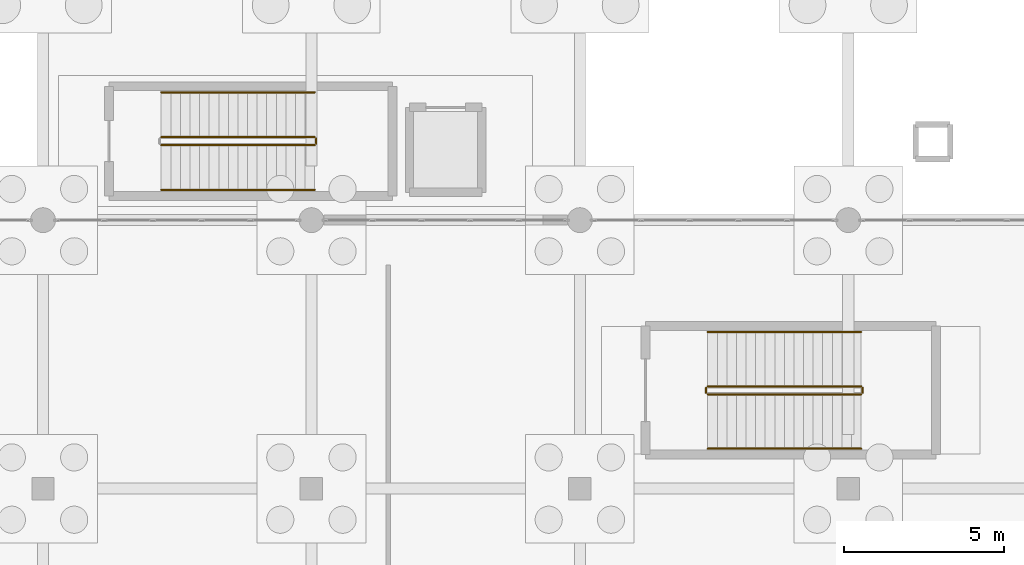
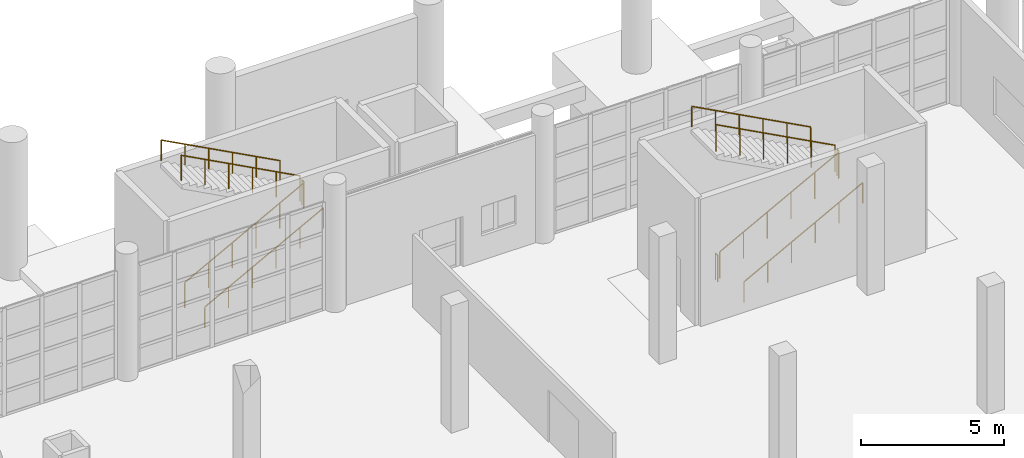
# One storey, part 78 of 83: 11 railings.
"""IFC4 building model written with IfcOpenShell, lengths in metres."""

import ifcopenshell
import ifcopenshell.guid

model = None  # the IFC model being written
_history = None  # IfcOwnerHistory: only IFC2X3 demands one
_inside = {}  # id of a spatial element -> (the spatial element, [elements in it])
_under = {}  # id of a project, library or spatial element -> (it, [spatial elements below it])
_declared = {}  # id of a project -> (the project, [libraries it declares])
_typed = {}  # id of a type object -> (the type object, [elements of that type])
_made_of = {}  # id of a material, layer set ... -> (it, [elements and type objects made of it])


def new_model(schema):
    """Start an empty IFC model of exactly this schema.

    Asked for "IFC4X3", IfcOpenShell would pick the latest addendum, in which some entities
    have other attributes; the version numbers below select the first issue.
    IFC2X3 requires an IfcOwnerHistory on every rooted entity: one is made here for all.
    """
    global model, _history
    if schema == "IFC4X3":
        model = ifcopenshell.file(schema_version=(4, 3, 0, 0))
    else:
        model = ifcopenshell.file(schema=schema)
    _inside.clear()
    _under.clear()
    _declared.clear()
    _typed.clear()
    _made_of.clear()
    _history = None
    if model.schema == "IFC2X3":
        org = make("IfcOrganization", Name="unknown")
        user = make(
            "IfcPersonAndOrganization",
            ThePerson=make("IfcPerson", FamilyName="unknown"),
            TheOrganization=org,
        )
        app = make(
            "IfcApplication",
            ApplicationDeveloper=org,
            Version="unknown",
            ApplicationFullName="unknown",
            ApplicationIdentifier="unknown",
        )
        _history = make(
            "IfcOwnerHistory",
            OwningUser=user,
            OwningApplication=app,
            ChangeAction="ADDED",
            CreationDate=0,
        )
    return model


def make(cls, **values):
    """One entity of the class cls with the attributes given. An attribute that is None is left unset."""
    return model.create_entity(
        cls, **{name: value for name, value in values.items() if value is not None}
    )


def rooted(cls, **values):
    """An entity with a GlobalId (a new one), such as an element, a storey or a relation."""
    return make(cls, GlobalId=ifcopenshell.guid.new(), OwnerHistory=_history, **values)


def si_unit(unit_type, name, prefix=None):
    """IfcSIUnit, for example si_unit("LENGTHUNIT", "METRE", prefix="MILLI")."""
    return make("IfcSIUnit", UnitType=unit_type, Prefix=prefix, Name=name)


def assignment(units):
    """IfcUnitAssignment: the units of a project."""
    return None if units is None else make("IfcUnitAssignment", Units=units)


def point(xyz):
    """IfcCartesianPoint."""
    return None if xyz is None else make("IfcCartesianPoint", Coordinates=xyz)


def direction(xyz):
    """IfcDirection."""
    return None if xyz is None else make("IfcDirection", DirectionRatios=xyz)


def frame(location, z_axis=None, x_axis=None):
    """IfcAxis2Placement3D, a coordinate frame: its origin and axes. An axis left out is left unset."""
    return make(
        "IfcAxis2Placement3D",
        Location=point(location),
        Axis=direction(z_axis),
        RefDirection=direction(x_axis),
    )


def frame_2d(location, x_axis=None):
    """IfcAxis2Placement2D, a coordinate frame in the plane: its origin and x axis."""
    return make(
        "IfcAxis2Placement2D", Location=point(location), RefDirection=direction(x_axis)
    )


def origin():
    """The frame at (0, 0, 0) with its axes left unset."""
    return frame((0.0, 0.0, 0.0))


def origin_2d():
    """The frame at (0, 0) in the plane with its x axis left unset."""
    return frame_2d((0.0, 0.0))


def place(relative_to, where):
    """IfcLocalPlacement: puts the frame where relative to a parent placement (None: the world)."""
    return make(
        "IfcLocalPlacement", PlacementRelTo=relative_to, RelativePlacement=where
    )


def context(
    kind, dimensions, precision=None, world=None, true_north=None, identifier=None
):
    """IfcGeometricRepresentationContext, for example the 3D "Model" context."""
    return make(
        "IfcGeometricRepresentationContext",
        ContextIdentifier=identifier,
        ContextType=kind,
        CoordinateSpaceDimension=dimensions,
        Precision=precision,
        WorldCoordinateSystem=world,
        TrueNorth=true_north,
    )


def subcontext(parent, identifier, kind, view, scale=None):
    """IfcGeometricRepresentationSubContext, for example "Body" below "Model"."""
    return make(
        "IfcGeometricRepresentationSubContext",
        ContextIdentifier=identifier,
        ContextType=kind,
        ParentContext=parent,
        TargetScale=scale,
        TargetView=view,
    )


def project(units=None, contexts=None):
    """IfcProject with its units and contexts."""
    return rooted(
        "IfcProject",
        Name="project",
        RepresentationContexts=contexts,
        UnitsInContext=assignment(units),
    )


def spatial(cls, under=None, at=None, **own):
    """A site, building, storey or space (cls), placed at a placement, below another one or the project."""
    s = rooted(cls, ObjectPlacement=at, **own)
    if under is not None:
        _under.setdefault(under.id(), (under, []))[1].append(s)
    return s


def profile(cls, at=None, kind="AREA", **sizes):
    """A parametric profile (cls). Its sizes go by their IFC names, for example OverallWidth=200.0."""
    return make(cls, ProfileType=kind, Position=at, **sizes)


def circle(**sizes):
    """IfcCircleProfileDef."""
    return profile("IfcCircleProfileDef", **sizes)


def extrude(swept, where, along, depth):
    """IfcExtrudedAreaSolid: the profile swept, set in the frame where, extruded along a direction by depth."""
    return make(
        "IfcExtrudedAreaSolid",
        SweptArea=swept,
        Position=where,
        ExtrudedDirection=direction(along),
        Depth=depth,
    )


def shape(context_of_items, identifier, shape_type, items):
    """IfcShapeRepresentation: the items that make up one representation, for example the "Body"."""
    return make(
        "IfcShapeRepresentation",
        ContextOfItems=context_of_items,
        RepresentationIdentifier=identifier,
        RepresentationType=shape_type,
        Items=items,
    )


def material(Name=None, Category=None):
    """IfcMaterial."""
    return make("IfcMaterial", Name=Name, Category=Category)


def made_of(thing, what):
    """Note that an element or type object is made of a material, layer set ...; save() writes the relation."""
    if what is not None:
        _made_of.setdefault(what.id(), (what, []))[1].append(thing)
    return thing


def type_object(cls, material=None, **own):
    """A type object (cls), such as IfcWallType, which elements share."""
    return made_of(rooted(cls, **own), material)


def element(
    cls,
    number,
    at=None,
    inside=None,
    cuts=None,
    type_object=None,
    material=None,
    context=None,
    identifier="Body",
    shape_type=None,
    held_by="IfcProductDefinitionShape",
    body=None,
    shapes=None,
    **own,
):
    """One element of the class cls, such as IfcWall. Its Tag is "e" and its number.

    at: its placement. inside: the storey or other place that contains it. cuts: it is an
    opening in that element (IfcRelVoidsElement). A single representation is given by context,
    identifier, shape_type and body (its items); several are given by shapes. held_by: the class
    of the entity that holds the representations. save() writes the other relations.
    """
    e = rooted(cls, Tag="e%d" % number, ObjectPlacement=at, **own)
    if body is not None:
        shapes = [shape(context, identifier, shape_type, body)]
    if shapes is not None:
        e.Representation = make(held_by, Representations=shapes)
    if inside is not None:
        _inside.setdefault(inside.id(), (inside, []))[1].append(e)
    if cuts is not None:
        rooted(
            "IfcRelVoidsElement", RelatingBuildingElement=cuts, RelatedOpeningElement=e
        )
    if type_object is not None:
        _typed.setdefault(type_object.id(), (type_object, []))[1].append(e)
    return made_of(e, material)


def aggregate(whole, parts):
    """IfcRelAggregates: a whole, such as a stair, and the parts it consists of."""
    return rooted("IfcRelAggregates", RelatingObject=whole, RelatedObjects=parts)


def save(model, path):
    """Write the relations noted so far, then the file.

    IfcRelAggregates (storeys below a building ...), IfcRelContainedInSpatialStructure (elements
    in a storey), IfcRelDefinesByType, IfcRelAssociatesMaterial and IfcRelDeclares: one each for
    every whole, place, type object, material and project.
    """
    for whole, parts in _under.values():
        aggregate(whole, parts)
    for where, things in _inside.values():
        rooted(
            "IfcRelContainedInSpatialStructure",
            RelatedElements=things,
            RelatingStructure=where,
        )
    for kind, things in _typed.values():
        rooted("IfcRelDefinesByType", RelatedObjects=things, RelatingType=kind)
    for what, things in _made_of.values():
        rooted("IfcRelAssociatesMaterial", RelatedObjects=things, RelatingMaterial=what)
    for by, libraries in _declared.values():
        rooted("IfcRelDeclares", RelatingContext=by, RelatedDefinitions=libraries)
    model.write(path)


model = new_model("IFC4")

# Units and contexts
model_context = context("Model", 3, precision=1e-05, world=origin(), true_north=direction((0.0, 1.0)))
body_context = subcontext(model_context, "Body", "Model", "MODEL_VIEW")
ifc_project = project(units=[si_unit("LENGTHUNIT", "METRE"), si_unit("AREAUNIT", "SQUARE_METRE"), si_unit("VOLUMEUNIT", "CUBIC_METRE"), si_unit("PLANEANGLEUNIT", "RADIAN"), si_unit("MASSUNIT", "GRAM", prefix="KILO"), si_unit("THERMODYNAMICTEMPERATUREUNIT", "KELVIN"), si_unit("POWERUNIT", "WATT")], contexts=[model_context])

# Site, building, storey
site_placement = place(None, origin())
site = spatial("IfcSite", under=ifc_project, at=site_placement, CompositionType="ELEMENT")
building_placement = place(site_placement, origin())
building = spatial("IfcBuilding", under=site, at=building_placement, Name="Mavoryth Pier Ferry Terminal", CompositionType="ELEMENT")
storey_placement = place(building_placement, origin())
storey = spatial("IfcBuildingStorey", under=building, at=storey_placement, Name="L00", CompositionType="ELEMENT", Elevation=0.0)

# Railings
ifc_material_1 = material(Name="Bronze-Anodised Aluminium and Glass Balustrade", Category="aluminium")
railing_type_1 = type_object("IfcRailingType", Name="Guard-Atrium-Bronze1150", PredefinedType="GUARDRAIL", material=ifc_material_1)
railing_1_placement = place(storey_placement, frame((79.60009765625, 100.550048828125, 0.159912109375)))
element("IfcRailing", 1, at=railing_1_placement, inside=storey, type_object=railing_type_1, Name="L00 ST15 stair guard 1", PredefinedType="GUARDRAIL", context=body_context, shape_type="SweptSolid", body=[
    extrude(circle(Radius=0.02392578125, at=origin_2d()), frame((0.0, 0.0, 1.1259765625), z_axis=(0.882340517344, 0.0, 0.47061152924), x_axis=(0.0, 1.0, 0.0)), (0.0, 0.0, 1.0), 5.43994140625),
    extrude(circle(Radius=0.02099609375, at=origin_2d()), origin(), (0.0, 0.0, 1.0), 1.101806640625),
    extrude(circle(Radius=0.02099609375, at=origin_2d()), frame((0.9599609375, 0.0, 0.511962890625)), (0.0, 0.0, 1.0), 1.101806640625),
    extrude(circle(Radius=0.02099609375, at=origin_2d()), frame((1.919921875, 0.0, 1.02392578125)), (0.0, 0.0, 1.0), 1.101806640625),
    extrude(circle(Radius=0.02099609375, at=origin_2d()), frame((2.8798828125, 0.0, 1.5361328125)), (0.0, 0.0, 1.0), 1.101806640625),
    extrude(circle(Radius=0.02099609375, at=origin_2d()), frame((3.83984375, 0.0, 2.048095703125)), (0.0, 0.0, 1.0), 1.101806640625),
    extrude(circle(Radius=0.02099609375, at=origin_2d()), frame((4.7998046875, 0.0, 2.56005859375)), (0.0, 0.0, 1.0), 1.101806640625),
])
railing_2_placement = place(storey_placement, frame((84.449951171875, 100.60009765625, 2.719970703125)))
element("IfcRailing", 2, at=railing_2_placement, inside=storey, type_object=railing_type_1, Name="L00 ST15 stair guard 2", PredefinedType="GUARDRAIL", context=body_context, shape_type="SweptSolid", body=[
    extrude(circle(Radius=0.02392578125, at=origin_2d()), frame((0.0, 0.0, 1.1259765625), z_axis=(0.0, 1.0, 0.0), x_axis=(-1.0, 0.0, 0.0)), (0.0, 0.0, 1.0), 0.14990234375),
    extrude(circle(Radius=0.02099609375, at=origin_2d()), origin(), (0.0, 0.0, 1.0), 1.101806640625),
    extrude(circle(Radius=0.02099609375, at=origin_2d()), frame((0.0, 0.14990234375, 0.0)), (0.0, 0.0, 1.0), 1.101806640625),
])
railing_3_placement = place(storey_placement, frame((84.39990234375, 100.800048828125, 2.8798828125)))
element("IfcRailing", 3, at=railing_3_placement, inside=storey, type_object=railing_type_1, Name="L00 ST15 stair guard 3", PredefinedType="GUARDRAIL", context=body_context, shape_type="SweptSolid", body=[
    extrude(circle(Radius=0.02392578125, at=origin_2d()), frame((0.0, 0.0, 1.1259765625), z_axis=(-0.882340517344, 0.0, 0.47061152924), x_axis=(0.0, -1.0, 0.0)), (0.0, 0.0, 1.0), 5.43994140625),
    extrude(circle(Radius=0.02099609375, at=origin_2d()), origin(), (0.0, 0.0, 1.0), 1.101806640625),
    extrude(circle(Radius=0.02099609375, at=origin_2d()), frame((-0.9599609375, 0.0, 0.511962890625)), (0.0, 0.0, 1.0), 1.101806640625),
    extrude(circle(Radius=0.02099609375, at=origin_2d()), frame((-1.919921875, 0.0, 1.02392578125)), (0.0, 0.0, 1.0), 1.101806640625),
    extrude(circle(Radius=0.02099609375, at=origin_2d()), frame((-2.8798828125, 0.0, 1.5361328125)), (0.0, 0.0, 1.0), 1.101806640625),
    extrude(circle(Radius=0.02099609375, at=origin_2d()), frame((-3.83984375, 0.0, 2.048095703125)), (0.0, 0.0, 1.0), 1.101806640625),
    extrude(circle(Radius=0.02099609375, at=origin_2d()), frame((-4.7998046875, 0.0, 2.56005859375)), (0.0, 0.0, 1.0), 1.101806640625),
])
railing_4_placement = place(storey_placement, frame((79.550048828125, 100.60009765625, 0.0)))
element("IfcRailing", 4, at=railing_4_placement, inside=storey, type_object=railing_type_1, Name="L00 ST15 stair guard 4", PredefinedType="GUARDRAIL", context=body_context, shape_type="SweptSolid", body=[
    extrude(circle(Radius=0.02392578125, at=origin_2d()), frame((0.0, 0.0, 1.1259765625), z_axis=(0.0, 1.0, 0.0), x_axis=(-1.0, 0.0, 0.0)), (0.0, 0.0, 1.0), 0.14990234375),
    extrude(circle(Radius=0.02099609375, at=origin_2d()), origin(), (0.0, 0.0, 1.0), 1.101806640625),
    extrude(circle(Radius=0.02099609375, at=origin_2d()), frame((0.0, 0.14990234375, 0.0)), (0.0, 0.0, 1.0), 1.101806640625),
])
ifc_material_2 = material(Name="Painted Galvanised Steel Balustrade", Category="steel")
railing_type_2 = type_object("IfcRailingType", Name="Guard-Stair-Steel1100", PredefinedType="GUARDRAIL", material=ifc_material_2)
railing_5_placement = place(storey_placement, frame((62.5, 108.35009765625, 0.159912109375)))
element("IfcRailing", 5, at=railing_5_placement, inside=storey, type_object=railing_type_2, Name="L00 ST06 stair guard 1", PredefinedType="GUARDRAIL", context=body_context, shape_type="SweptSolid", body=[
    extrude(circle(Radius=0.02392578125, at=origin_2d()), frame((0.0, 0.0, 1.076171875), z_axis=(0.882350456557, 0.0, 0.470592893925), x_axis=(0.0, 1.0, 0.0)), (0.0, 0.0, 1.0), 5.440185546875),
    extrude(circle(Radius=0.02099609375, at=origin_2d()), origin(), (0.0, 0.0, 1.0), 1.052001953125),
    extrude(circle(Radius=0.02099609375, at=origin_2d()), frame((0.9599609375, 0.0, 0.511962890625)), (0.0, 0.0, 1.0), 1.052001953125),
    extrude(circle(Radius=0.02099609375, at=origin_2d()), frame((1.919921875, 0.0, 1.02392578125)), (0.0, 0.0, 1.0), 1.052001953125),
    extrude(circle(Radius=0.02099609375, at=origin_2d()), frame((2.880126953125, 0.0, 1.5361328125)), (0.0, 0.0, 1.0), 1.052001953125),
    extrude(circle(Radius=0.02099609375, at=origin_2d()), frame((3.840087890625, 0.0, 2.048095703125)), (0.0, 0.0, 1.0), 1.052001953125),
    extrude(circle(Radius=0.02099609375, at=origin_2d()), frame((4.800048828125, 0.0, 2.56005859375)), (0.0, 0.0, 1.0), 1.052001953125),
])
railing_6_placement = place(storey_placement, frame((67.35009765625, 108.39990234375, 2.719970703125)))
element("IfcRailing", 6, at=railing_6_placement, inside=storey, type_object=railing_type_2, Name="L00 ST06 stair guard 2", PredefinedType="GUARDRAIL", context=body_context, shape_type="SweptSolid", body=[
    extrude(circle(Radius=0.02392578125, at=origin_2d()), frame((0.0, 0.0, 1.076171875), z_axis=(0.0, 1.0, 0.0), x_axis=(-1.0, 0.0, 0.0)), (0.0, 0.0, 1.0), 0.150146484375),
    extrude(circle(Radius=0.02099609375, at=origin_2d()), origin(), (0.0, 0.0, 1.0), 1.052001953125),
    extrude(circle(Radius=0.02099609375, at=origin_2d()), frame((0.0, 0.150146484375, 0.0)), (0.0, 0.0, 1.0), 1.052001953125),
])
railing_7_placement = place(storey_placement, frame((67.300048828125, 108.60009765625, 2.8798828125)))
element("IfcRailing", 7, at=railing_7_placement, inside=storey, type_object=railing_type_2, Name="L00 ST06 stair guard 3", PredefinedType="GUARDRAIL", context=body_context, shape_type="SweptSolid", body=[
    extrude(circle(Radius=0.02392578125, at=origin_2d()), frame((0.0, 0.0, 1.076171875), z_axis=(-0.882350456557, 0.0, 0.470592893925), x_axis=(0.0, -1.0, 0.0)), (0.0, 0.0, 1.0), 5.440185546875),
    extrude(circle(Radius=0.02099609375, at=origin_2d()), origin(), (0.0, 0.0, 1.0), 1.052001953125),
    extrude(circle(Radius=0.02099609375, at=origin_2d()), frame((-0.9599609375, 0.0, 0.511962890625)), (0.0, 0.0, 1.0), 1.052001953125),
    extrude(circle(Radius=0.02099609375, at=origin_2d()), frame((-1.919921875, 0.0, 1.02392578125)), (0.0, 0.0, 1.0), 1.052001953125),
    extrude(circle(Radius=0.02099609375, at=origin_2d()), frame((-2.880126953125, 0.0, 1.5361328125)), (0.0, 0.0, 1.0), 1.052001953125),
    extrude(circle(Radius=0.02099609375, at=origin_2d()), frame((-3.840087890625, 0.0, 2.048095703125)), (0.0, 0.0, 1.0), 1.052001953125),
    extrude(circle(Radius=0.02099609375, at=origin_2d()), frame((-4.800048828125, 0.0, 2.56005859375)), (0.0, 0.0, 1.0), 1.052001953125),
])
ifc_material_3 = material(Name="Brushed Stainless Steel Tubular Handrail", Category="steel")
railing_type_3 = type_object("IfcRailingType", Name="Handrail-Stair-SS900", PredefinedType="HANDRAIL", material=ifc_material_3)
railing_8_placement = place(storey_placement, frame((62.5, 106.949951171875, 0.159912109375)))
element("IfcRailing", 8, at=railing_8_placement, inside=storey, type_object=railing_type_3, Name="L00 ST06 stair handrail 1", PredefinedType="HANDRAIL", context=body_context, shape_type="SweptSolid", body=[
    extrude(circle(Radius=0.02392578125, at=origin_2d()), frame((0.0, 0.0, 0.8759765625), z_axis=(0.882350456557, 0.0, 0.470592893925), x_axis=(0.0, 1.0, 0.0)), (0.0, 0.0, 1.0), 5.440185546875),
    extrude(circle(Radius=0.02099609375, at=origin_2d()), origin(), (0.0, 0.0, 1.0), 0.851806640625),
    extrude(circle(Radius=0.02099609375, at=origin_2d()), frame((0.9599609375, 0.0, 0.511962890625)), (0.0, 0.0, 1.0), 0.851806640625),
    extrude(circle(Radius=0.02099609375, at=origin_2d()), frame((1.919921875, 0.0, 1.02392578125)), (0.0, 0.0, 1.0), 0.851806640625),
    extrude(circle(Radius=0.02099609375, at=origin_2d()), frame((2.880126953125, 0.0, 1.5361328125)), (0.0, 0.0, 1.0), 0.851806640625),
    extrude(circle(Radius=0.02099609375, at=origin_2d()), frame((3.840087890625, 0.0, 2.048095703125)), (0.0, 0.0, 1.0), 0.851806640625),
    extrude(circle(Radius=0.02099609375, at=origin_2d()), frame((4.800048828125, 0.0, 2.56005859375)), (0.0, 0.0, 1.0), 0.851806640625),
])
railing_9_placement = place(storey_placement, frame((67.300048828125, 110.0, 2.8798828125)))
element("IfcRailing", 9, at=railing_9_placement, inside=storey, type_object=railing_type_3, Name="L00 ST06 stair handrail 2", PredefinedType="HANDRAIL", context=body_context, shape_type="SweptSolid", body=[
    extrude(circle(Radius=0.02392578125, at=origin_2d()), frame((0.0, 0.0, 0.8759765625), z_axis=(-0.882350456557, 0.0, 0.470592893925), x_axis=(0.0, -1.0, 0.0)), (0.0, 0.0, 1.0), 5.440185546875),
    extrude(circle(Radius=0.02099609375, at=origin_2d()), origin(), (0.0, 0.0, 1.0), 0.851806640625),
    extrude(circle(Radius=0.02099609375, at=origin_2d()), frame((-0.9599609375, 0.0, 0.511962890625)), (0.0, 0.0, 1.0), 0.851806640625),
    extrude(circle(Radius=0.02099609375, at=origin_2d()), frame((-1.919921875, 0.0, 1.02392578125)), (0.0, 0.0, 1.0), 0.851806640625),
    extrude(circle(Radius=0.02099609375, at=origin_2d()), frame((-2.880126953125, 0.0, 1.5361328125)), (0.0, 0.0, 1.0), 0.851806640625),
    extrude(circle(Radius=0.02099609375, at=origin_2d()), frame((-3.840087890625, 0.0, 2.048095703125)), (0.0, 0.0, 1.0), 0.851806640625),
    extrude(circle(Radius=0.02099609375, at=origin_2d()), frame((-4.800048828125, 0.0, 2.56005859375)), (0.0, 0.0, 1.0), 0.851806640625),
])
railing_10_placement = place(storey_placement, frame((79.60009765625, 98.85009765625, 0.159912109375)))
element("IfcRailing", 10, at=railing_10_placement, inside=storey, type_object=railing_type_3, Name="L00 ST15 stair handrail 1", PredefinedType="HANDRAIL", context=body_context, shape_type="SweptSolid", body=[
    extrude(circle(Radius=0.02392578125, at=origin_2d()), frame((0.0, 0.0, 0.8759765625), z_axis=(0.882340517344, 0.0, 0.47061152924), x_axis=(0.0, 1.0, 0.0)), (0.0, 0.0, 1.0), 5.43994140625),
    extrude(circle(Radius=0.02099609375, at=origin_2d()), origin(), (0.0, 0.0, 1.0), 0.851806640625),
    extrude(circle(Radius=0.02099609375, at=origin_2d()), frame((0.9599609375, 0.0, 0.511962890625)), (0.0, 0.0, 1.0), 0.851806640625),
    extrude(circle(Radius=0.02099609375, at=origin_2d()), frame((1.919921875, 0.0, 1.02392578125)), (0.0, 0.0, 1.0), 0.851806640625),
    extrude(circle(Radius=0.02099609375, at=origin_2d()), frame((2.8798828125, 0.0, 1.5361328125)), (0.0, 0.0, 1.0), 0.851806640625),
    extrude(circle(Radius=0.02099609375, at=origin_2d()), frame((3.83984375, 0.0, 2.048095703125)), (0.0, 0.0, 1.0), 0.851806640625),
    extrude(circle(Radius=0.02099609375, at=origin_2d()), frame((4.7998046875, 0.0, 2.56005859375)), (0.0, 0.0, 1.0), 0.851806640625),
])
railing_11_placement = place(storey_placement, frame((84.39990234375, 102.5, 2.8798828125)))
element("IfcRailing", 11, at=railing_11_placement, inside=storey, type_object=railing_type_3, Name="L00 ST15 stair handrail 2", PredefinedType="HANDRAIL", context=body_context, shape_type="SweptSolid", body=[
    extrude(circle(Radius=0.02392578125, at=origin_2d()), frame((0.0, 0.0, 0.8759765625), z_axis=(-0.882340517344, 0.0, 0.47061152924), x_axis=(0.0, -1.0, 0.0)), (0.0, 0.0, 1.0), 5.43994140625),
    extrude(circle(Radius=0.02099609375, at=origin_2d()), origin(), (0.0, 0.0, 1.0), 0.851806640625),
    extrude(circle(Radius=0.02099609375, at=origin_2d()), frame((-0.9599609375, 0.0, 0.511962890625)), (0.0, 0.0, 1.0), 0.851806640625),
    extrude(circle(Radius=0.02099609375, at=origin_2d()), frame((-1.919921875, 0.0, 1.02392578125)), (0.0, 0.0, 1.0), 0.851806640625),
    extrude(circle(Radius=0.02099609375, at=origin_2d()), frame((-2.8798828125, 0.0, 1.5361328125)), (0.0, 0.0, 1.0), 0.851806640625),
    extrude(circle(Radius=0.02099609375, at=origin_2d()), frame((-3.83984375, 0.0, 2.048095703125)), (0.0, 0.0, 1.0), 0.851806640625),
    extrude(circle(Radius=0.02099609375, at=origin_2d()), frame((-4.7998046875, 0.0, 2.56005859375)), (0.0, 0.0, 1.0), 0.851806640625),
])

save(model, "model.ifc")
